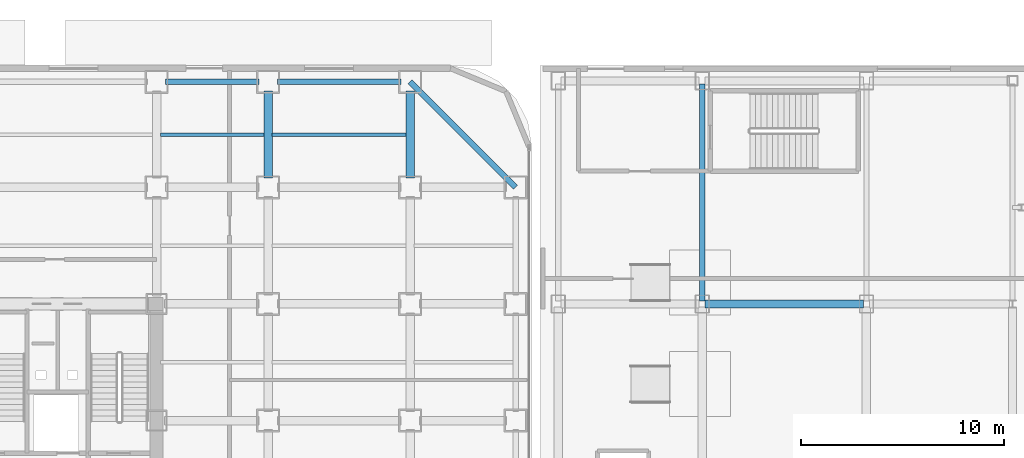
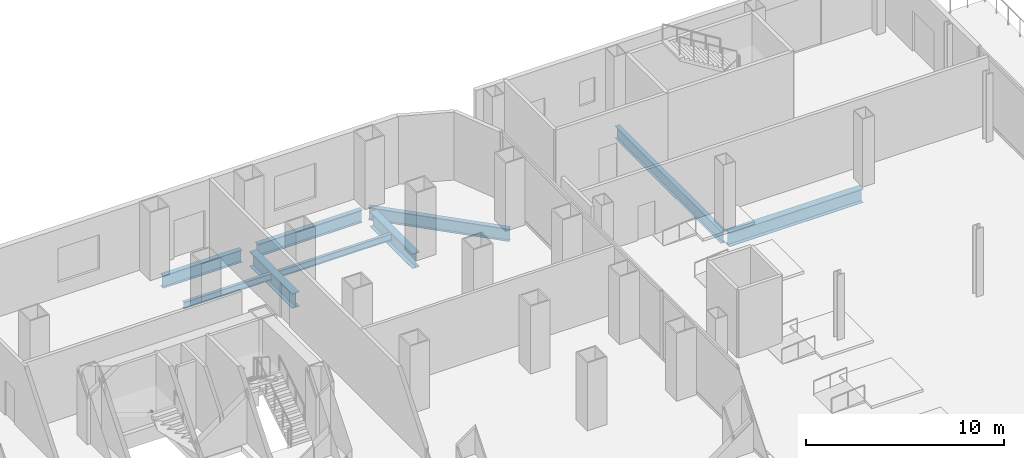
# One storey, part 14 of 31: 9 beams.
"""IFC4 building model written with IfcOpenShell, lengths in metres."""

from ifc_helpers import new_model, si_unit, direction, frame, origin, origin_2d, place, context, subcontext, project, spatial, i_section, extrude, source, transform, mapped, material, material_profile, profile_set, type_object, element, save


model = new_model("IFC4")

# Units and contexts
model_context = context("Model", 3, precision=1e-05, world=origin(), true_north=direction((0.0, 1.0)))
body_context = subcontext(model_context, "Body", "Model", "MODEL_VIEW")
ifc_project = project(units=[si_unit("LENGTHUNIT", "METRE"), si_unit("AREAUNIT", "SQUARE_METRE"), si_unit("VOLUMEUNIT", "CUBIC_METRE"), si_unit("PLANEANGLEUNIT", "RADIAN"), si_unit("MASSUNIT", "GRAM", prefix="KILO")], contexts=[model_context])

# Site, building, storey
site_placement = place(None, origin())
site = spatial("IfcSite", under=ifc_project, at=site_placement, CompositionType="ELEMENT")
building_placement = place(site_placement, origin())
building = spatial("IfcBuilding", under=site, at=building_placement, Name="Kolveth Station Tower", CompositionType="ELEMENT")
storey_placement = place(building_placement, origin())
storey = spatial("IfcBuildingStorey", under=building, at=storey_placement, Name="L00", CompositionType="ELEMENT", Elevation=0.0)

# Beams
ifc_material = material(Name="Steel S355", Category="steel")
ifc_material_profile_1 = material_profile(ifc_material, i_section(OverallWidth=0.26904296875, OverallDepth=0.77490234375, WebThickness=0.01708984375, FlangeThickness=0.0283203125, at=origin_2d()), Name="W760x220")
ifc_profile_set_1 = profile_set([ifc_material_profile_1], Name="Steel S355")
beam_type_1 = type_object("IfcBeamType", Name="Beam_SP1", PredefinedType="SPANDREL", material=ifc_profile_set_1)
shared_shape_1 = source(origin(), body_context, "Body", "SweptSolid", [
    extrude(i_section(OverallWidth=0.26904296875, OverallDepth=0.77490234375, WebThickness=0.01708984375, FlangeThickness=0.0283203125, at=origin_2d()), origin(), (0.0, 0.0, 1.0), 6.10009765625),
])
beam_1_placement = place(storey_placement, frame((34.449951171875, 39.699951171875, -0.70751953125), z_axis=(1.0, 0.0, 0.0), x_axis=(0.0, 1.0, 0.0)))
element("IfcBeam", 1, at=beam_1_placement, inside=storey, type_object=beam_type_1, Name="L00 Perimeter Spandrel BM-L00-PN-5", PredefinedType="SPANDREL", context=body_context, shape_type="MappedRepresentation", body=[
    mapped(shared_shape_1, transform((0.0, 0.0, 0.0), x_axis=(1.0, 0.0, 0.0), y_axis=(0.0, 1.0, 0.0), z_axis=(0.0, 0.0, 1.0), scale=1.0)),
])
shared_shape_2 = source(origin(), body_context, "Body", "SweptSolid", [
    extrude(i_section(OverallWidth=0.26904296875, OverallDepth=0.77490234375, WebThickness=0.01708984375, FlangeThickness=0.0283203125, at=origin_2d()), origin(), (0.0, 0.0, 1.0), 4.60009765625),
])
beam_2_placement = place(storey_placement, frame((28.949951171875, 39.699951171875, -0.70751953125), z_axis=(1.0, 0.0, 0.0), x_axis=(0.0, 1.0, 0.0)))
element("IfcBeam", 2, at=beam_2_placement, inside=storey, type_object=beam_type_1, Name="L00 Perimeter Spandrel BM-L00-PN-4", PredefinedType="SPANDREL", context=body_context, shape_type="MappedRepresentation", body=[
    mapped(shared_shape_2, transform((0.0, 0.0, 0.0), x_axis=(1.0, 0.0, 0.0), y_axis=(0.0, 1.0, 0.0), z_axis=(0.0, 0.0, 1.0), scale=1.0)),
])
shared_shape_3 = source(origin(), body_context, "Body", "SweptSolid", [
    extrude(i_section(OverallWidth=0.26904296875, OverallDepth=0.77490234375, WebThickness=0.01708984375, FlangeThickness=0.0283203125, at=origin_2d()), origin(), (0.0, 0.0, 1.0), 7.353759765625),
])
beam_3_placement = place(storey_placement, frame((46.199951171875, 34.5, -0.70751953125), z_axis=(-0.707106781187, 0.707106781187, 0.0), x_axis=(-0.707106781187, -0.707106781187, 0.0)))
element("IfcBeam", 3, at=beam_3_placement, inside=storey, type_object=beam_type_1, Name="L00 Corner Edge Girder BM-L00-CNR-NE", PredefinedType="SPANDREL", context=body_context, shape_type="MappedRepresentation", body=[
    mapped(shared_shape_3, transform((0.0, 0.0, 0.0), x_axis=(1.0, 0.0, 0.0), y_axis=(0.0, 1.0, 0.0), z_axis=(0.0, 0.0, 1.0), scale=1.0)),
])
ifc_material_profile_2 = material_profile(ifc_material, i_section(OverallWidth=0.41796875, OverallDepth=0.912109375, WebThickness=0.019287109375, FlangeThickness=0.031982421875, at=origin_2d()), Name="W920x342")
ifc_profile_set_2 = profile_set([ifc_material_profile_2], Name="Steel S355")
beam_type_2 = type_object("IfcBeamType", Name="Beam_B1", PredefinedType="BEAM", material=ifc_profile_set_2)
shared_shape_4 = source(origin(), body_context, "Body", "SweptSolid", [
    extrude(i_section(OverallWidth=0.41796875, OverallDepth=0.912109375, WebThickness=0.019287109375, FlangeThickness=0.031982421875, at=origin_2d()), origin(), (0.0, 0.0, 1.0), 4.300048828125),
])
for number, where, z_axis, x_axis, name in (
    (4, (34.0, 34.949951171875, -0.77587890625), (0.0, 1.0, 0.0), (-1.0, 0.0, 0.0), "L00 Primary Girder BM-L00-GX340-7"),
    (5, (41.0, 34.949951171875, -0.77587890625), (0.0, 1.0, 0.0), (-1.0, 0.0, 0.0), "L00 Primary Girder BM-L00-GX410-7"),
):
    element("IfcBeam", number, at=place(storey_placement, frame(where, z_axis=z_axis, x_axis=x_axis)), inside=storey, type_object=beam_type_2, Name=name, PredefinedType="BEAM", context=body_context, shape_type="MappedRepresentation", body=[
        mapped(shared_shape_4, transform((0.0, 0.0, 0.0), x_axis=(1.0, 0.0, 0.0), y_axis=(0.0, 1.0, 0.0), z_axis=(0.0, 0.0, 1.0), scale=1.0)),
    ])
ifc_material_profile_3 = material_profile(ifc_material, i_section(OverallWidth=0.177978515625, OverallDepth=0.406982421875, WebThickness=0.0078125, FlangeThickness=0.0126953125, at=origin_2d()), Name="W410x60")
ifc_profile_set_3 = profile_set([ifc_material_profile_3], Name="Steel S355")
beam_type_3 = type_object("IfcBeamType", Name="Beam_J1", PredefinedType="JOIST", material=ifc_profile_set_3)
shared_shape_5 = source(origin(), body_context, "Body", "SweptSolid", [
    extrude(i_section(OverallWidth=0.177978515625, OverallDepth=0.406982421875, WebThickness=0.0078125, FlangeThickness=0.0126953125, at=origin_2d()), origin(), (0.0, 0.0, 1.0), 6.60986328125),
])
beam_4_placement = place(storey_placement, frame((34.195068359375, 37.10009765625, -0.5234375), z_axis=(1.0, 0.0, 0.0), x_axis=(0.0, 1.0, 0.0)))
element("IfcBeam", 6, at=beam_4_placement, inside=storey, type_object=beam_type_3, Name="L00 Secondary Joist JST-L00-6-7", PredefinedType="JOIST", context=body_context, shape_type="MappedRepresentation", body=[
    mapped(shared_shape_5, transform((0.0, 0.0, 0.0), x_axis=(1.0, 0.0, 0.0), y_axis=(0.0, 1.0, 0.0), z_axis=(0.0, 0.0, 1.0), scale=1.0)),
])
shared_shape_6 = source(origin(), body_context, "Body", "SweptSolid", [
    extrude(i_section(OverallWidth=0.177978515625, OverallDepth=0.406982421875, WebThickness=0.0078125, FlangeThickness=0.0126953125, at=origin_2d()), origin(), (0.0, 0.0, 1.0), 5.10986328125),
])
beam_5_placement = place(storey_placement, frame((28.695068359375, 37.10009765625, -0.5234375), z_axis=(1.0, 0.0, 0.0), x_axis=(0.0, 1.0, 0.0)))
element("IfcBeam", 7, at=beam_5_placement, inside=storey, type_object=beam_type_3, Name="L00 Secondary Joist JST-L00-5-7", PredefinedType="JOIST", context=body_context, shape_type="MappedRepresentation", body=[
    mapped(shared_shape_6, transform((0.0, 0.0, 0.0), x_axis=(1.0, 0.0, 0.0), y_axis=(0.0, 1.0, 0.0), z_axis=(0.0, 0.0, 1.0), scale=1.0)),
])
ifc_material_profile_4 = material_profile(ifc_material, i_section(OverallWidth=0.40087890625, OverallDepth=0.85107421875, WebThickness=0.01611328125, FlangeThickness=0.025390625, at=origin_2d()), Name="W840x226")
ifc_profile_set_4 = profile_set([ifc_material_profile_4], Name="Steel S355")
beam_type_4 = type_object("IfcBeamType", Name="Beam_B2", PredefinedType="BEAM", material=ifc_profile_set_4)
shared_shape_7 = source(origin(), body_context, "Body", "SweptSolid", [
    extrude(i_section(OverallWidth=0.40087890625, OverallDepth=0.85107421875, WebThickness=0.01611328125, FlangeThickness=0.025390625, at=origin_2d()), origin(), (0.0, 0.0, 1.0), 7.800048828125),
])
beam_6_placement = place(storey_placement, frame((55.550048828125, 28.75, -0.74560546875), z_axis=(1.0, 0.0, 0.0), x_axis=(0.0, 1.0, 0.0)))
element("IfcBeam", 8, at=beam_6_placement, inside=storey, type_object=beam_type_4, Name="L00 Station Portal Girder SBM-L00-EW-5-2", PredefinedType="BEAM", context=body_context, shape_type="MappedRepresentation", body=[
    mapped(shared_shape_7, transform((0.0, 0.0, 0.0), x_axis=(1.0, 0.0, 0.0), y_axis=(0.0, 1.0, 0.0), z_axis=(0.0, 0.0, 1.0), scale=1.0)),
])
ifc_material_profile_5 = material_profile(ifc_material, i_section(OverallWidth=0.26708984375, OverallDepth=0.76611328125, WebThickness=0.014892578125, FlangeThickness=0.023681640625, at=origin_2d()), Name="W760x185")
ifc_profile_set_5 = profile_set([ifc_material_profile_5], Name="Steel S355")
beam_type_5 = type_object("IfcBeamType", Name="Beam_B3", PredefinedType="BEAM", material=ifc_profile_set_5)
shared_shape_8 = source(origin(), body_context, "Body", "SweptSolid", [
    extrude(i_section(OverallWidth=0.26708984375, OverallDepth=0.76611328125, WebThickness=0.014892578125, FlangeThickness=0.023681640625, at=origin_2d()), origin(), (0.0, 0.0, 1.0), 10.7001953125),
])
beam_7_placement = place(storey_placement, frame((55.39990234375, 28.89990234375, -0.702880859375), z_axis=(0.0, 1.0, 0.0), x_axis=(-1.0, 0.0, 0.0)))
element("IfcBeam", 9, at=beam_7_placement, inside=storey, type_object=beam_type_5, Name="L00 Station Spine Girder SBM-L00-NS-2-5", PredefinedType="BEAM", context=body_context, shape_type="MappedRepresentation", body=[
    mapped(shared_shape_8, transform((0.0, 0.0, 0.0), x_axis=(1.0, 0.0, 0.0), y_axis=(0.0, 1.0, 0.0), z_axis=(0.0, 0.0, 1.0), scale=1.0)),
])

save(model, "model.ifc")
